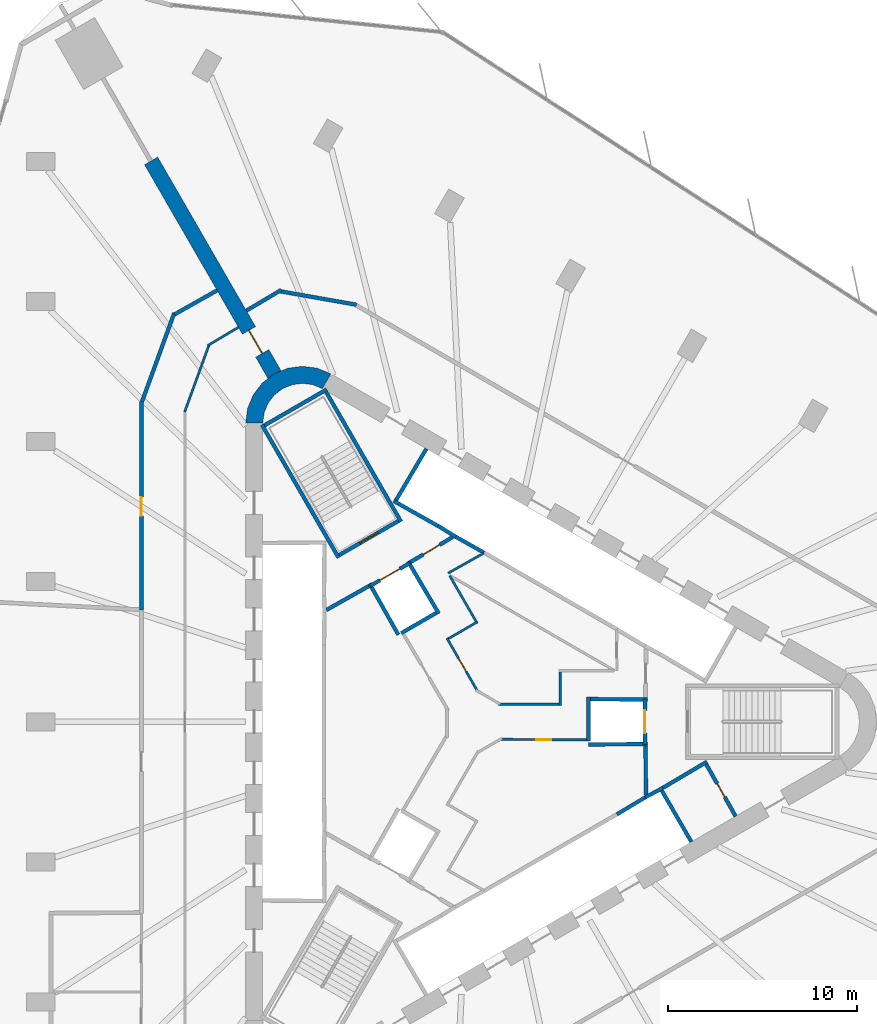
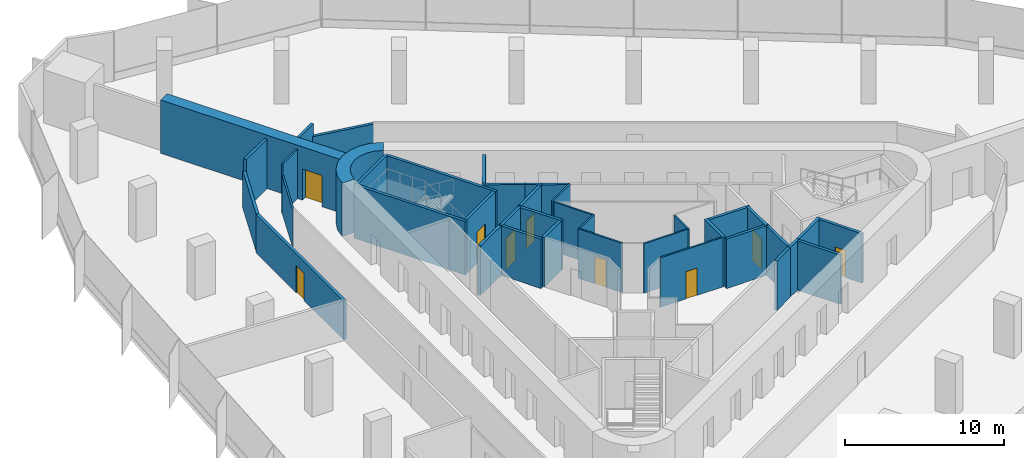
# One storey, part 11 of 14: 40 walls, 9 doors, 9 openings.
"""IFC4 building model written with IfcOpenShell, lengths in metres."""

from ifc_helpers import new_model, si_unit, direction, frame, frame_2d, origin, place, context, subcontext, project, spatial, polyline, rectangle, outline, extrude, material, layer, layer_set, type_object, element, fill, save


model = new_model("IFC4")

# Units and contexts
model_context = context("Model", 3, precision=1e-05, world=origin(), true_north=direction((0.0, 1.0)))
body_context = subcontext(model_context, "Body", "Model", "MODEL_VIEW")
ifc_project = project(units=[si_unit("LENGTHUNIT", "METRE"), si_unit("AREAUNIT", "SQUARE_METRE"), si_unit("VOLUMEUNIT", "CUBIC_METRE"), si_unit("PLANEANGLEUNIT", "RADIAN"), si_unit("MASSUNIT", "GRAM", prefix="KILO")], contexts=[model_context])

# Site, building, storey
site_placement = place(None, origin())
site = spatial("IfcSite", under=ifc_project, at=site_placement, CompositionType="ELEMENT")
building_placement = place(site_placement, origin())
building = spatial("IfcBuilding", under=site, at=building_placement, Name="Tanit Gate Tower", CompositionType="ELEMENT")
storey_placement = place(building_placement, frame((0.0, 0.0, 111.10009765625)))
storey = spatial("IfcBuildingStorey", under=building, at=storey_placement, Name="L23", CompositionType="ELEMENT", Elevation=111.10009765625)

# Wall, opening, door
ifc_material_1 = material(Name="Concrete C60/75", Category="concrete")
ifc_layer_1 = layer(ifc_material_1, 0.800048828125)
ifc_layer_set_1 = layer_set([ifc_layer_1], Name="BUTTRESS FIN 800 C60/75")
wall_type_1 = type_object("IfcWallType", Name="BUTTRESS FIN 800 C60/75", PredefinedType="SHEAR", material=ifc_layer_set_1)
wall_1_placement = place(storey_placement, frame((-10.574951171875, 18.31640625, 0.0), z_axis=(0.0, 0.0, 1.0), x_axis=(-0.500003112169, 0.866023606965, 0.0)))
wall_1 = element("IfcWall", 1, at=wall_1_placement, inside=storey, type_object=wall_type_1, Name="BUTTRESS FIN", PredefinedType="SHEAR", context=body_context, shape_type="SweptSolid", body=[
    extrude(rectangle(XDim=13.02685546875, YDim=0.800048828125, at=frame_2d((6.513427734375, 0.0))), origin(), (0.0, 0.0, 1.0), 4.099853515625),
])
opening_1_placement = place(wall_1_placement, frame((1.300048828125, 0.0, 0.0)))
opening_1 = element("IfcOpeningElement", 2, at=opening_1_placement, cuts=wall_1, Name="Opening P14-S05-F-NW-1", PredefinedType="OPENING", context=body_context, shape_type="SweptSolid", body=[
    extrude(rectangle(XDim=1.39990234375, YDim=2.39990234375, at=frame_2d((0.699951171875, 1.199951171875))), frame((0.0, 0.41015625, 0.0), z_axis=(0.0, -1.0, 0.0), x_axis=(1.0, 0.0, 0.0)), (0.0, 0.0, 1.0), 0.820068359375),
])
ifc_material_2 = material(Name="Timber door leaf", Category="wood")
door_type_1 = type_object("IfcDoorType", Name="INT-DOOR-FIN-PAIR-1400", OperationType="NOTDEFINED", PredefinedType="NOTDEFINED", material=ifc_material_2)
door_1_placement = place(opening_1_placement, origin())
door_1 = element("IfcDoor", 3, at=door_1_placement, inside=storey, type_object=door_type_1, Name="Door P14-S05-F-NW-1", OperationType="DOUBLE_DOOR_SINGLE_SWING", OverallHeight=2.39990234375, OverallWidth=1.39990234375, PredefinedType="NOTDEFINED", context=body_context, shape_type="SweptSolid", body=[
    extrude(rectangle(XDim=1.39990234375, YDim=2.39990234375, at=frame_2d((0.699951171875, 1.199951171875))), frame((0.0, 0.02490234375, 0.0), z_axis=(0.0, -1.0, 0.0), x_axis=(1.0, 0.0, 0.0)), (0.0, 0.0, 1.0), 0.050048828125),
])
fill(opening_1, door_1)

# Walls
ifc_material_3 = material(Name="Concrete C60/75", Category="concrete")
ifc_layer_2 = layer(ifc_material_3, 0.89990234375)
ifc_layer_set_2 = layer_set([ifc_layer_2], Name="CORE WALL 900 C60/75")
wall_type_2 = type_object("IfcWallType", Name="CORE WALL 900 C60/75", PredefinedType="SHEAR", material=ifc_layer_set_2)
wall_2_placement = place(storey_placement, origin())
element("IfcWall", 4, at=wall_2_placement, inside=storey, type_object=wall_type_2, Name="CORE WALL CORNER", PredefinedType="SHEAR", context=body_context, shape_type="SweptSolid", body=[
    extrude(outline(polyline([(-7.60009765625, 18.359619140625), (-8.323486328125, 18.659423828125), (-9.10009765625, 18.76171875), (-9.87646484375, 18.659423828125), (-10.60009765625, 18.359619140625), (-11.22119140625, 17.883056640625), (-11.697998046875, 17.26171875), (-11.997802734375, 16.5380859375), (-12.10009765625, 15.76171875), (-11.199951171875, 15.76171875), (-11.12841796875, 16.30517578125), (-10.918701171875, 16.811767578125), (-10.5849609375, 17.24658203125), (-10.14990234375, 17.580322265625), (-9.6435546875, 17.7900390625), (-9.10009765625, 17.86181640625), (-8.556396484375, 17.7900390625), (-8.050048828125, 17.580322265625), (-7.60009765625, 18.359619140625)])), origin(), (0.0, 0.0, 1.0), 4.099853515625),
])
ifc_material_4 = material(Name="Fire-rated gypsum board partition")
ifc_layer_3 = layer(ifc_material_4, 0.199951171875)
ifc_layer_set_3 = layer_set([ifc_layer_3], Name="INT-WALL-COMPARTMENT")
wall_type_3 = type_object("IfcWallType", Name="INT-WALL-COMPARTMENT", PredefinedType="PARTITIONING", material=ifc_layer_set_3)
wall_3_placement = place(storey_placement, frame((12.244873046875, -2.10888671875, 0.0), z_axis=(0.0, 0.0, 1.0), x_axis=(-0.860414880418, -0.509594185166, 0.0)))
element("IfcWall", 5, at=wall_3_placement, inside=storey, type_object=wall_type_3, Name="Wall Compartment W057", PredefinedType="PARTITIONING", context=body_context, shape_type="SweptSolid", body=[
    extrude(rectangle(XDim=2.7001953125, YDim=0.199951171875, at=frame_2d((1.35009765625, 0.0))), origin(), (0.0, 0.0, 1.0), 3.7998046875),
])

# Wall, opening, door
wall_4_placement = place(storey_placement, frame((13.758056640625, -4.989501953125, 0.0), z_axis=(0.0, 0.0, 1.0), x_axis=(-0.491993409184, 0.87059892334, 0.0)))
wall_4 = element("IfcWall", 6, at=wall_4_placement, inside=storey, type_object=wall_type_3, Name="Wall Compartment W058", PredefinedType="PARTITIONING", context=body_context, shape_type="SweptSolid", body=[
    extrude(rectangle(XDim=3.150146484375, YDim=0.199951171875, at=frame_2d((1.5751953125, 0.0))), origin(), (0.0, 0.0, 1.0), 3.7998046875),
])
opening_2_placement = place(wall_4_placement, frame((1.175048828125, 0.0, 0.0)))
opening_2 = element("IfcOpeningElement", 7, at=opening_2_placement, cuts=wall_4, Name="Opening R08-S05-14", PredefinedType="OPENING", context=body_context, shape_type="SweptSolid", body=[
    extrude(rectangle(XDim=0.800048828125, YDim=2.10009765625, at=frame_2d((0.39990234375, 1.050048828125))), frame((0.0, 0.10986328125, 0.0), z_axis=(0.0, -1.0, 0.0), x_axis=(1.0, 0.0, 0.0)), (0.0, 0.0, 1.0), 0.219970703125),
])
ifc_material_5 = material(Name="Timber door leaf", Category="wood")
door_type_2 = type_object("IfcDoorType", Name="INT-DOOR-RISER-800", OperationType="NOTDEFINED", PredefinedType="USERDEFINED", material=ifc_material_5)
door_2_placement = place(opening_2_placement, origin())
door_2 = element("IfcDoor", 8, at=door_2_placement, inside=storey, type_object=door_type_2, Name="Door R08-S05-14", ObjectType="FIRE DOOR", OperationType="SINGLE_SWING_LEFT", OverallHeight=2.10009765625, OverallWidth=0.800048828125, PredefinedType="USERDEFINED", context=body_context, shape_type="SweptSolid", body=[
    extrude(rectangle(XDim=0.800048828125, YDim=2.10009765625, at=frame_2d((0.39990234375, 1.050048828125))), frame((0.0, 0.02490234375, 0.0), z_axis=(0.0, -1.0, 0.0), x_axis=(1.0, 0.0, 0.0)), (0.0, 0.0, 1.0), 0.050048828125),
])
fill(opening_2, door_2)

# Walls
for number, where, z_axis, x_axis, name in (
    (9, (9.02880859375, -3.8505859375, 0.0), (0.0, 0.0, 1.0), (-0.010784614026, 0.999941844359, 0.0), "Wall Compartment W059"),
    (10, (-5.600341796875, 7.16015625, 0.0), (0.0, 0.0, 1.0), (-0.871340486379, -0.490678873396, 0.0), "Wall Compartment W061"),
):
    element("IfcWall", number, at=place(storey_placement, frame(where, z_axis=z_axis, x_axis=x_axis)), inside=storey, type_object=wall_type_3, Name=name, PredefinedType="PARTITIONING", context=body_context, shape_type="SweptSolid", body=[
        extrude(rectangle(XDim=2.580810546875, YDim=0.199951171875, at=frame_2d((1.29052734375, 0.0))), origin(), (0.0, 0.0, 1.0), 3.7998046875),
    ])

# Wall, opening, door
wall_5_placement = place(storey_placement, frame((-1.179443359375, 9.74462890625, 0.0), z_axis=(0.0, 0.0, 1.0), x_axis=(-0.860598681535, -0.509283721849, 0.0)))
wall_5 = element("IfcWall", 11, at=wall_5_placement, inside=storey, type_object=wall_type_3, Name="Wall Compartment W062", PredefinedType="PARTITIONING", context=body_context, shape_type="SweptSolid", body=[
    extrude(rectangle(XDim=2.5810546875, YDim=0.199951171875, at=frame_2d((1.29052734375, 0.0))), origin(), (0.0, 0.0, 1.0), 3.7998046875),
])
opening_3_placement = place(wall_5_placement, frame((0.79052734375, 0.0, 0.0)))
opening_3 = element("IfcOpeningElement", 12, at=opening_3_placement, cuts=wall_5, Name="Opening F10-S05-05", PredefinedType="OPENING", context=body_context, shape_type="SweptSolid", body=[
    extrude(rectangle(XDim=1.0, YDim=2.10009765625, at=frame_2d((0.5, 1.050048828125))), frame((0.0, 0.10986328125, 0.0), z_axis=(0.0, -1.0, 0.0), x_axis=(1.0, 0.0, 0.0)), (0.0, 0.0, 1.0), 0.219970703125),
])
ifc_material_6 = material(Name="Fire-rated steel door leaf", Category="steel")
door_type_3 = type_object("IfcDoorType", Name="INT-DOOR-FIRE-1000", OperationType="NOTDEFINED", PredefinedType="USERDEFINED", material=ifc_material_6)
door_3_placement = place(opening_3_placement, origin())
door_3 = element("IfcDoor", 13, at=door_3_placement, inside=storey, type_object=door_type_3, Name="Door F10-S05-05", ObjectType="FIRE DOOR", OperationType="SINGLE_SWING_RIGHT", OverallHeight=2.10009765625, OverallWidth=1.0, PredefinedType="USERDEFINED", context=body_context, shape_type="SweptSolid", body=[
    extrude(rectangle(XDim=1.0, YDim=2.10009765625, at=frame_2d((0.5, 1.050048828125))), frame((0.0, 0.02490234375, 0.0), z_axis=(0.0, -1.0, 0.0), x_axis=(1.0, 0.0, 0.0)), (0.0, 0.0, 1.0), 0.050048828125),
])
fill(opening_3, door_3)

wall_6_placement = place(storey_placement, frame((-17.60009765625, 16.910888671875, 0.0), z_axis=(0.0, 0.0, 1.0), x_axis=(0.0, -1.0, 0.0)))
wall_6 = element("IfcWall", 14, at=wall_6_placement, inside=storey, type_object=wall_type_3, Name="Wall Compartment W092", PredefinedType="PARTITIONING", context=body_context, shape_type="SweptSolid", body=[
    extrude(rectangle(XDim=11.0224609375, YDim=0.199951171875, at=frame_2d((5.51123046875, 0.0))), origin(), (0.0, 0.0, 1.0), 2.97998046875),
])
opening_4_placement = place(wall_6_placement, frame((5.0498046875, 0.0, 0.0)))
opening_4 = element("IfcOpeningElement", 15, at=opening_4_placement, cuts=wall_6, Name="Opening F10-S05-21", PredefinedType="OPENING", context=body_context, shape_type="SweptSolid", body=[
    extrude(rectangle(XDim=1.0, YDim=2.10009765625, at=frame_2d((0.5, 1.050048828125))), frame((0.0, 0.10986328125, 0.0), z_axis=(0.0, -1.0, 0.0), x_axis=(1.0, 0.0, 0.0)), (0.0, 0.0, 1.0), 0.219970703125),
])
door_4_placement = place(opening_4_placement, origin())
door_4 = element("IfcDoor", 16, at=door_4_placement, inside=storey, type_object=door_type_3, Name="Door F10-S05-21", ObjectType="FIRE DOOR", OperationType="SINGLE_SWING_LEFT", OverallHeight=2.10009765625, OverallWidth=1.0, PredefinedType="USERDEFINED", context=body_context, shape_type="SweptSolid", body=[
    extrude(rectangle(XDim=1.0, YDim=2.10009765625, at=frame_2d((0.5, 1.050048828125))), frame((0.0, 0.02490234375, 0.0), z_axis=(0.0, -1.0, 0.0), x_axis=(1.0, 0.0, 0.0)), (0.0, 0.0, 1.0), 0.050048828125),
])
fill(opening_4, door_4)

# Walls
wall_7_placement = place(storey_placement, frame((-15.864013671875, 21.58056640625, 0.0), z_axis=(0.0, 0.0, 1.0), x_axis=(-0.342030631204, -0.939688803444, 0.0)))
element("IfcWall", 17, at=wall_7_placement, inside=storey, type_object=wall_type_3, Name="Wall Compartment W093", PredefinedType="PARTITIONING", context=body_context, shape_type="SweptSolid", body=[
    extrude(rectangle(XDim=4.975830078125, YDim=0.199951171875, at=frame_2d((2.48779296875, 0.0))), origin(), (0.0, 0.0, 1.0), 2.8798828125),
])
wall_8_placement = place(storey_placement, frame((-13.6064453125, 22.76708984375, 0.0), z_axis=(0.0, 0.0, 1.0), x_axis=(-0.870922595713, -0.491420219645, 0.0)))
element("IfcWall", 18, at=wall_8_placement, inside=storey, type_object=wall_type_3, Name="Wall Compartment W094", PredefinedType="PARTITIONING", context=body_context, shape_type="SweptSolid", body=[
    extrude(rectangle(XDim=2.58935546875, YDim=0.199951171875, at=frame_2d((1.294677734375, 0.0))), origin(), (0.0, 0.0, 1.0), 3.7998046875),
])
wall_9_placement = place(storey_placement, frame((-10.228271484375, 22.786376953125, 0.0), z_axis=(0.0, 0.0, 1.0), x_axis=(-0.859754348804, -0.510707802674, 0.0)))
element("IfcWall", 19, at=wall_9_placement, inside=storey, type_object=wall_type_3, Name="Wall Compartment W099", PredefinedType="PARTITIONING", context=body_context, shape_type="SweptSolid", body=[
    extrude(rectangle(XDim=2.135498046875, YDim=0.199951171875, at=frame_2d((1.06787109375, 0.0))), origin(), (0.0, 0.0, 1.0), 3.7998046875),
])
wall_10_placement = place(storey_placement, frame((-6.25048828125, 22.008056640625, 0.0), z_axis=(0.0, 0.0, 1.0), x_axis=(-0.984810577443, 0.173632158762, 0.0)))
element("IfcWall", 20, at=wall_10_placement, inside=storey, type_object=wall_type_3, Name="Wall Compartment W100", PredefinedType="PARTITIONING", context=body_context, shape_type="SweptSolid", body=[
    extrude(rectangle(XDim=4.091796875, YDim=0.199951171875, at=frame_2d((2.0458984375, 0.0))), origin(), (0.0, 0.0, 1.0), 2.8798828125),
])

# Wall, opening, door
ifc_material_7 = material(Name="Gypsum board partition")
ifc_layer_4 = layer(ifc_material_7, 0.1201171875)
ifc_layer_set_4 = layer_set([ifc_layer_4], Name="INT-WALL-PARTITION")
wall_type_4 = type_object("IfcWallType", Name="INT-WALL-PARTITION", PredefinedType="PARTITIONING", material=ifc_layer_set_4)
wall_11_placement = place(storey_placement, frame((5.89990234375, -0.953857421875, 0.0), z_axis=(0.0, 0.0, 1.0), x_axis=(-0.999979855239, 0.006347370786, 0.0)))
wall_11 = element("IfcWall", 21, at=wall_11_placement, inside=storey, type_object=wall_type_4, Name="Wall Partition W073", PredefinedType="PARTITIONING", context=body_context, shape_type="SweptSolid", body=[
    extrude(rectangle(XDim=4.53857421875, YDim=0.1201171875, at=frame_2d((2.269287109375, 0.0))), origin(), (0.0, 0.0, 1.0), 3.7998046875),
])
opening_5_placement = place(wall_11_placement, frame((1.869384765625, 0.0, 0.0)))
opening_5 = element("IfcOpeningElement", 22, at=opening_5_placement, cuts=wall_11, Name="Opening R08-S05-11", PredefinedType="OPENING", context=body_context, shape_type="SweptSolid", body=[
    extrude(rectangle(XDim=0.800048828125, YDim=2.10009765625, at=frame_2d((0.39990234375, 1.050048828125))), frame((0.0, 0.070068359375, 0.0), z_axis=(0.0, -1.0, 0.0), x_axis=(1.0, 0.0, 0.0)), (0.0, 0.0, 1.0), 0.14013671875),
])
door_5_placement = place(opening_5_placement, origin())
door_5 = element("IfcDoor", 23, at=door_5_placement, inside=storey, type_object=door_type_2, Name="Door R08-S05-11", ObjectType="FIRE DOOR", OperationType="SINGLE_SWING_RIGHT", OverallHeight=2.10009765625, OverallWidth=0.800048828125, PredefinedType="USERDEFINED", context=body_context, shape_type="SweptSolid", body=[
    extrude(rectangle(XDim=0.800048828125, YDim=2.10009765625, at=frame_2d((0.39990234375, 1.050048828125))), frame((0.0, 0.02490234375, 0.0), z_axis=(0.0, -1.0, 0.0), x_axis=(1.0, 0.0, 0.0)), (0.0, 0.0, 1.0), 0.050048828125),
])
fill(opening_5, door_5)

# Walls
wall_12_placement = place(storey_placement, frame((0.475341796875, 8.9052734375, 0.0), z_axis=(0.0, 0.0, 1.0), x_axis=(-0.871843519779, -0.489784521009, 0.0)))
element("IfcWall", 24, at=wall_12_placement, inside=storey, type_object=wall_type_4, Name="Wall Partition W075", PredefinedType="PARTITIONING", context=body_context, shape_type="SweptSolid", body=[
    extrude(rectangle(XDim=2.164306640625, YDim=0.1201171875, at=frame_2d((1.08203125, 0.0))), origin(), (0.0, 0.0, 1.0), 3.7998046875),
])
wall_13_placement = place(storey_placement, frame((4.5, 0.864990234375, 0.0), z_axis=(0.0, 0.0, 1.0), x_axis=(0.0, 1.0, 0.0)))
element("IfcWall", 25, at=wall_13_placement, inside=storey, type_object=wall_type_4, Name="Wall Partition W078", PredefinedType="PARTITIONING", context=body_context, shape_type="SweptSolid", body=[
    extrude(rectangle(XDim=1.77490234375, YDim=0.1201171875, at=frame_2d((0.887451171875, 0.0))), origin(), (0.0, 0.0, 1.0), 3.7998046875),
])
wall_14_placement = place(storey_placement, frame((1.238525390625, 0.925048828125, 0.0), z_axis=(0.0, 0.0, 1.0), x_axis=(1.0, 0.0, 0.0)))
element("IfcWall", 26, at=wall_14_placement, inside=storey, type_object=wall_type_4, Name="Wall Partition W079", PredefinedType="PARTITIONING", context=body_context, shape_type="SweptSolid", body=[
    extrude(rectangle(XDim=3.201416015625, YDim=0.1201171875, at=frame_2d((1.6005859375, 0.0))), origin(), (0.0, 0.0, 1.0), 3.7998046875),
])

# Wall, opening, door
wall_15_placement = place(storey_placement, frame((-1.47900390625, 4.41162109375, 0.0), z_axis=(0.0, 0.0, 1.0), x_axis=(0.500013115284, -0.866017831539, 0.0)))
wall_15 = element("IfcWall", 27, at=wall_15_placement, inside=storey, type_object=wall_type_4, Name="Wall Partition W081", PredefinedType="PARTITIONING", context=body_context, shape_type="SweptSolid", body=[
    extrude(rectangle(XDim=3.19921875, YDim=0.1201171875, at=frame_2d((1.599609375, 0.0))), origin(), (0.0, 0.0, 1.0), 3.7998046875),
])
opening_6_placement = place(wall_15_placement, frame((1.2294921875, 0.0, 0.0)))
opening_6 = element("IfcOpeningElement", 28, at=opening_6_placement, cuts=wall_15, Name="Opening R08-S05-13", PredefinedType="OPENING", context=body_context, shape_type="SweptSolid", body=[
    extrude(rectangle(XDim=0.800048828125, YDim=2.10009765625, at=frame_2d((0.39990234375, 1.050048828125))), frame((0.0, 0.070068359375, 0.0), z_axis=(0.0, -1.0, 0.0), x_axis=(1.0, 0.0, 0.0)), (0.0, 0.0, 1.0), 0.14013671875),
])
door_6_placement = place(opening_6_placement, origin())
door_6 = element("IfcDoor", 29, at=door_6_placement, inside=storey, type_object=door_type_2, Name="Door R08-S05-13", ObjectType="FIRE DOOR", OperationType="SINGLE_SWING_LEFT", OverallHeight=2.10009765625, OverallWidth=0.800048828125, PredefinedType="USERDEFINED", context=body_context, shape_type="SweptSolid", body=[
    extrude(rectangle(XDim=0.800048828125, YDim=2.10009765625, at=frame_2d((0.39990234375, 1.050048828125))), frame((0.0, 0.02490234375, 0.0), z_axis=(0.0, -1.0, 0.0), x_axis=(1.0, 0.0, 0.0)), (0.0, 0.0, 1.0), 0.050048828125),
])
fill(opening_6, door_6)

# Walls
wall_16_placement = place(storey_placement, frame((0.14013671875, 5.277099609375, 0.0), z_axis=(0.0, 0.0, 1.0), x_axis=(-0.866025242659, -0.500000279077, 0.0)))
element("IfcWall", 30, at=wall_16_placement, inside=storey, type_object=wall_type_4, Name="Wall Partition W082", PredefinedType="PARTITIONING", context=body_context, shape_type="SweptSolid", body=[
    extrude(rectangle(XDim=1.77490234375, YDim=0.1201171875, at=frame_2d((0.887451171875, 0.0))), origin(), (0.0, 0.0, 1.0), 3.7998046875),
])
wall_17_placement = place(storey_placement, frame((-1.330078125, 7.703857421875, 0.0), z_axis=(0.0, 0.0, 1.0), x_axis=(0.500006584067, -0.866021602438, 0.0)))
element("IfcWall", 31, at=wall_17_placement, inside=storey, type_object=wall_type_4, Name="Wall Partition W083", PredefinedType="PARTITIONING", context=body_context, shape_type="SweptSolid", body=[
    extrude(rectangle(XDim=2.77685546875, YDim=0.1201171875, at=frame_2d((1.388427734375, 0.0))), origin(), (0.0, 0.0, 1.0), 3.7998046875),
])
wall_18_placement = place(storey_placement, frame((-12.481689453125, 20.819091796875, 0.0), z_axis=(0.0, 0.0, 1.0), x_axis=(-0.85913200524, -0.511754040113, 0.0)))
element("IfcWall", 32, at=wall_18_placement, inside=storey, type_object=wall_type_4, Name="Wall Partition W084", PredefinedType="PARTITIONING", context=body_context, shape_type="SweptSolid", body=[
    extrude(rectangle(XDim=1.87451171875, YDim=0.1201171875, at=frame_2d((0.937255859375, 0.0))), origin(), (0.0, 0.0, 1.0), 3.7998046875),
])
wall_19_placement = place(storey_placement, frame((-14.038330078125, 19.87158203125, 0.0), z_axis=(0.0, 0.0, 1.0), x_axis=(-0.342035870777, -0.939686896313, 0.0)))
element("IfcWall", 33, at=wall_19_placement, inside=storey, type_object=wall_type_4, Name="Wall Partition W085", PredefinedType="PARTITIONING", context=body_context, shape_type="SweptSolid", body=[
    extrude(rectangle(XDim=3.748779296875, YDim=0.1201171875, at=frame_2d((1.87451171875, 0.0))), origin(), (0.0, 0.0, 1.0), 2.8798828125),
])
ifc_material_8 = material(Name="Gypsum shaft wall system")
ifc_layer_5 = layer(ifc_material_8, 0.199951171875)
ifc_layer_set_5 = layer_set([ifc_layer_5], Name="INT-WALL-SHAFT")
wall_type_5 = type_object("IfcWallType", Name="INT-WALL-SHAFT", PredefinedType="PLUMBINGWALL", material=ifc_layer_set_5)
wall_20_placement = place(storey_placement, frame((-1.940673828125, 10.338623046875, 0.0), z_axis=(0.0, 0.0, 1.0), x_axis=(0.850216889117, -0.526432561171, 0.0)))
element("IfcWall", 34, at=wall_20_placement, inside=storey, type_object=wall_type_5, Name="Wall Shaft W019", PredefinedType="PLUMBINGWALL", context=body_context, shape_type="SweptSolid", body=[
    extrude(rectangle(XDim=1.078369140625, YDim=0.199951171875, at=frame_2d((0.5390625, 0.0))), origin(), (0.0, 0.0, 1.0), 3.7998046875),
])
wall_21_placement = place(storey_placement, frame((0.478271484375, 8.928466796875, 0.0), z_axis=(0.0, 0.0, 1.0), x_axis=(-0.871988740738, 0.489525929882, 0.0)))
element("IfcWall", 35, at=wall_21_placement, inside=storey, type_object=wall_type_5, Name="Wall Shaft W020", PredefinedType="PLUMBINGWALL", context=body_context, shape_type="SweptSolid", body=[
    extrude(rectangle(XDim=1.8447265625, YDim=0.199951171875, at=frame_2d((0.92236328125, 0.0))), origin(), (0.0, 0.0, 1.0), 3.7998046875),
])
wall_22_placement = place(storey_placement, frame((-4.296142578125, 11.658935546875, 0.0), z_axis=(0.0, 0.0, 1.0), x_axis=(0.871534483978, -0.490334215854, 0.0)))
element("IfcWall", 36, at=wall_22_placement, inside=storey, type_object=wall_type_5, Name="Wall Shaft W021", PredefinedType="PLUMBINGWALL", context=body_context, shape_type="SweptSolid", body=[
    extrude(rectangle(XDim=2.7001953125, YDim=0.199951171875, at=frame_2d((1.35009765625, 0.0))), origin(), (0.0, 0.0, 1.0), 3.7998046875),
])
wall_23_placement = place(storey_placement, frame((-4.158203125, 11.696044921875, 0.0), z_axis=(0.0, 0.0, 1.0), x_axis=(0.508018930956, 0.861345903683, 0.0)))
element("IfcWall", 37, at=wall_23_placement, inside=storey, type_object=wall_type_5, Name="Wall Shaft W022", PredefinedType="PLUMBINGWALL", context=body_context, shape_type="SweptSolid", body=[
    extrude(rectangle(XDim=3.150146484375, YDim=0.199951171875, at=frame_2d((1.5751953125, 0.0))), origin(), (0.0, 0.0, 1.0), 3.7998046875),
])
wall_24_placement = place(storey_placement, frame((9.794677734375, -3.52490234375, 0.0), z_axis=(0.0, 0.0, 1.0), x_axis=(0.499984717929, -0.866034226713, 0.0)))
element("IfcWall", 38, at=wall_24_placement, inside=storey, type_object=wall_type_5, Name="Wall Shaft W024", PredefinedType="PLUMBINGWALL", context=body_context, shape_type="SweptSolid", body=[
    extrude(rectangle(XDim=3.25, YDim=0.199951171875, at=frame_2d((1.625, 0.0))), origin(), (0.0, 0.0, 1.0), 3.7998046875),
])
wall_25_placement = place(storey_placement, frame((8.97412109375, -3.998779296875, 0.0), z_axis=(0.0, 0.0, 1.0), x_axis=(0.880907015104, 0.473289373154, 0.0)))
element("IfcWall", 39, at=wall_25_placement, inside=storey, type_object=wall_type_5, Name="Wall Shaft W025", PredefinedType="PLUMBINGWALL", context=body_context, shape_type="SweptSolid", body=[
    extrude(rectangle(XDim=1.078125, YDim=0.199951171875, at=frame_2d((0.5390625, 0.0))), origin(), (0.0, 0.0, 1.0), 3.7998046875),
])
wall_26_placement = place(storey_placement, frame((7.497314453125, -4.885986328125, 0.0), z_axis=(0.0, 0.0, 1.0), x_axis=(0.857516281273, 0.51445682749, 0.0)))
element("IfcWall", 40, at=wall_26_placement, inside=storey, type_object=wall_type_5, Name="Wall Shaft W026", PredefinedType="PLUMBINGWALL", context=body_context, shape_type="SweptSolid", body=[
    extrude(rectangle(XDim=1.8447265625, YDim=0.199951171875, at=frame_2d((0.92236328125, 0.0))), origin(), (0.0, 0.0, 1.0), 3.7998046875),
])

# Wall, opening, door
wall_27_placement = place(storey_placement, frame((8.969970703125, 1.199951171875, 0.0), z_axis=(0.0, 0.0, 1.0), x_axis=(0.0, -1.0, 0.0)))
wall_27 = element("IfcWall", 41, at=wall_27_placement, inside=storey, type_object=wall_type_5, Name="Wall Shaft W037", PredefinedType="PLUMBINGWALL", context=body_context, shape_type="SweptSolid", body=[
    extrude(rectangle(XDim=2.39990234375, YDim=0.199951171875, at=frame_2d((1.199951171875, 0.0))), origin(), (0.0, 0.0, 1.0), 3.7998046875),
])
opening_7_placement = place(wall_27_placement, frame((0.60009765625, 0.0, 0.0)))
opening_7 = element("IfcOpeningElement", 42, at=opening_7_placement, cuts=wall_27, Name="Opening LDFL1-L23", PredefinedType="OPENING", context=body_context, shape_type="SweptSolid", body=[
    extrude(rectangle(XDim=1.199951171875, YDim=2.39990234375, at=frame_2d((0.60009765625, 1.199951171875))), frame((0.0, 0.10986328125, 0.0), z_axis=(0.0, -1.0, 0.0), x_axis=(1.0, 0.0, 0.0)), (0.0, 0.0, 1.0), 0.219970703125),
])
ifc_material_9 = material(Name="Stainless steel sliding door leaf", Category="steel")
door_type_4 = type_object("IfcDoorType", Name="INT-DOOR-LANDING-1200", OperationType="NOTDEFINED", PredefinedType="USERDEFINED", material=ifc_material_9)
door_7_placement = place(opening_7_placement, origin())
door_7 = element("IfcDoor", 43, at=door_7_placement, inside=storey, type_object=door_type_4, Name="Door LDFL1-L23", ObjectType="LANDING DOOR", OperationType="SLIDING_TO_LEFT", OverallHeight=2.39990234375, OverallWidth=1.199951171875, PredefinedType="USERDEFINED", context=body_context, shape_type="SweptSolid", body=[
    extrude(rectangle(XDim=1.199951171875, YDim=2.39990234375, at=frame_2d((0.60009765625, 1.199951171875))), frame((0.0, 0.02490234375, 0.0), z_axis=(0.0, -1.0, 0.0), x_axis=(1.0, 0.0, 0.0)), (0.0, 0.0, 1.0), 0.050048828125),
])
fill(opening_7, door_7)

# Walls
wall_28_placement = place(storey_placement, frame((9.10009765625, -1.1689453125, 0.0), z_axis=(0.0, 0.0, 1.0), x_axis=(-0.999949988, -0.010001074852, 0.0)))
element("IfcWall", 44, at=wall_28_placement, inside=storey, type_object=wall_type_5, Name="Wall Shaft W038", PredefinedType="PLUMBINGWALL", context=body_context, shape_type="SweptSolid", body=[
    extrude(rectangle(XDim=3.100341796875, YDim=0.199951171875, at=frame_2d((1.55029296875, 0.0))), origin(), (0.0, 0.0, 1.0), 3.7998046875),
])
wall_29_placement = place(storey_placement, frame((6.0, -1.014404296875, 0.0), z_axis=(0.0, 0.0, 1.0), x_axis=(0.0, 1.0, 0.0)))
element("IfcWall", 45, at=wall_29_placement, inside=storey, type_object=wall_type_5, Name="Wall Shaft W039", PredefinedType="PLUMBINGWALL", context=body_context, shape_type="SweptSolid", body=[
    extrude(rectangle(XDim=2.314453125, YDim=0.199951171875, at=frame_2d((1.1572265625, 0.0))), origin(), (0.0, 0.0, 1.0), 3.7998046875),
])
wall_30_placement = place(storey_placement, frame((9.10009765625, 1.1689453125, 0.0), z_axis=(0.0, 0.0, 1.0), x_axis=(-0.99994990606, 0.010009264196, 0.0)))
element("IfcWall", 46, at=wall_30_placement, inside=storey, type_object=wall_type_5, Name="Wall Shaft W040", PredefinedType="PLUMBINGWALL", context=body_context, shape_type="SweptSolid", body=[
    extrude(rectangle(XDim=3.000244140625, YDim=0.199951171875, at=frame_2d((1.5, 0.0))), origin(), (0.0, 0.0, 1.0), 3.7998046875),
])

# Wall, opening, door
wall_31_placement = place(storey_placement, frame((-5.524169921875, 7.168212890625, 0.0), z_axis=(0.0, 0.0, 1.0), x_axis=(0.866024647952, 0.500001309137, 0.0)))
wall_31 = element("IfcWall", 47, at=wall_31_placement, inside=storey, type_object=wall_type_5, Name="Wall Shaft W045", PredefinedType="PLUMBINGWALL", context=body_context, shape_type="SweptSolid", body=[
    extrude(rectangle(XDim=2.39990234375, YDim=0.199951171875, at=frame_2d((1.199951171875, 0.0))), origin(), (0.0, 0.0, 1.0), 3.7998046875),
])
opening_8_placement = place(wall_31_placement, frame((0.60009765625, 0.0, 0.0)))
opening_8 = element("IfcOpeningElement", 48, at=opening_8_placement, cuts=wall_31, Name="Opening LDFL2-L23", PredefinedType="OPENING", context=body_context, shape_type="SweptSolid", body=[
    extrude(rectangle(XDim=1.199951171875, YDim=2.39990234375, at=frame_2d((0.60009765625, 1.199951171875))), frame((0.0, 0.10986328125, 0.0), z_axis=(0.0, -1.0, 0.0), x_axis=(1.0, 0.0, 0.0)), (0.0, 0.0, 1.0), 0.219970703125),
])
door_8_placement = place(opening_8_placement, origin())
door_8 = element("IfcDoor", 49, at=door_8_placement, inside=storey, type_object=door_type_4, Name="Door LDFL2-L23", ObjectType="LANDING DOOR", OperationType="SLIDING_TO_LEFT", OverallHeight=2.39990234375, OverallWidth=1.199951171875, PredefinedType="USERDEFINED", context=body_context, shape_type="SweptSolid", body=[
    extrude(rectangle(XDim=1.199951171875, YDim=2.39990234375, at=frame_2d((0.60009765625, 1.199951171875))), frame((0.0, 0.02490234375, 0.0), z_axis=(0.0, -1.0, 0.0), x_axis=(1.0, 0.0, 0.0)), (0.0, 0.0, 1.0), 0.050048828125),
])
fill(opening_8, door_8)

# Walls
wall_32_placement = place(storey_placement, frame((-4.039306640625, 4.59619140625, 0.0), z_axis=(0.0, 0.0, 1.0), x_axis=(-0.491322718731, 0.870977603649, 0.0)))
element("IfcWall", 50, at=wall_32_placement, inside=storey, type_object=wall_type_5, Name="Wall Shaft W046", PredefinedType="PLUMBINGWALL", context=body_context, shape_type="SweptSolid", body=[
    extrude(rectangle(XDim=3.10009765625, YDim=0.199951171875, at=frame_2d((1.550048828125, 0.0))), origin(), (0.0, 0.0, 1.0), 3.7998046875),
])
wall_33_placement = place(storey_placement, frame((-3.53759765625, 8.46533203125, 0.0), z_axis=(0.0, 0.0, 1.0), x_axis=(0.508616218331, -0.860993346345, 0.0)))
element("IfcWall", 51, at=wall_33_placement, inside=storey, type_object=wall_type_5, Name="Wall Shaft W047", PredefinedType="PLUMBINGWALL", context=body_context, shape_type="SweptSolid", body=[
    extrude(rectangle(XDim=3.2001953125, YDim=0.199951171875, at=frame_2d((1.60009765625, 0.0))), origin(), (0.0, 0.0, 1.0), 3.7998046875),
])
wall_34_placement = place(storey_placement, frame((-2.04736328125, 5.74609375, 0.0), z_axis=(0.0, 0.0, 1.0), x_axis=(-0.866040491692, -0.499973866067, 0.0)))
element("IfcWall", 52, at=wall_34_placement, inside=storey, type_object=wall_type_5, Name="Wall Shaft W048", PredefinedType="PLUMBINGWALL", context=body_context, shape_type="SweptSolid", body=[
    extrude(rectangle(XDim=2.12939453125, YDim=0.199951171875, at=frame_2d((1.064697265625, 0.0))), origin(), (0.0, 0.0, 1.0), 3.7998046875),
])
ifc_material_10 = material(Name="Concrete C40/50", Category="concrete")
ifc_layer_6 = layer(ifc_material_10, 0.199951171875)
ifc_layer_set_6 = layer_set([ifc_layer_6], Name="INT-WALL-STAIR")
wall_type_6 = type_object("IfcWallType", Name="INT-WALL-STAIR", PredefinedType="SHEAR", material=ifc_layer_set_6)
wall_35_placement = place(storey_placement, frame((-11.245361328125, 15.677734375, -0.300048828125), z_axis=(0.0, 0.0, 1.0), x_axis=(0.499977274689, -0.866038523851, 0.0)))
element("IfcWall", 53, at=wall_35_placement, inside=storey, type_object=wall_type_6, Name="Wall Stair W041", PredefinedType="SHEAR", context=body_context, shape_type="SweptSolid", body=[
    extrude(rectangle(XDim=8.10009765625, YDim=0.199951171875, at=frame_2d((4.050048828125, 0.0))), origin(), (0.0, 0.0, 1.0), 4.099853515625),
])
wall_36_placement = place(storey_placement, frame((-7.81787109375, 17.541015625, -0.300048828125), z_axis=(0.0, 0.0, 1.0), x_axis=(-0.866044365799, -0.499967155389, 0.0)))
element("IfcWall", 54, at=wall_36_placement, inside=storey, type_object=wall_type_6, Name="Wall Stair W042", PredefinedType="SHEAR", context=body_context, shape_type="SweptSolid", body=[
    extrude(rectangle(XDim=3.800048828125, YDim=0.199951171875, at=frame_2d((1.89990234375, 0.0))), origin(), (0.0, 0.0, 1.0), 4.099853515625),
])
wall_37_placement = place(storey_placement, frame((-7.8544921875, 17.404541015625, -0.300048828125), z_axis=(0.0, 0.0, 1.0), x_axis=(0.499997992926, -0.866026562566, 0.0)))
element("IfcWall", 55, at=wall_37_placement, inside=storey, type_object=wall_type_6, Name="Wall Stair W043", PredefinedType="SHEAR", context=body_context, shape_type="SweptSolid", body=[
    extrude(rectangle(XDim=7.89990234375, YDim=0.199951171875, at=frame_2d((3.949951171875, 0.0))), origin(), (0.0, 0.0, 1.0), 4.099853515625),
])

# Wall, opening, door
wall_38_placement = place(storey_placement, frame((-7.158935546875, 8.799560546875, -0.300048828125), z_axis=(0.0, 0.0, 1.0), x_axis=(0.866047807691, 0.499961193289, 0.0)))
wall_38 = element("IfcWall", 56, at=wall_38_placement, inside=storey, type_object=wall_type_6, Name="Wall Stair W044", PredefinedType="SHEAR", context=body_context, shape_type="SweptSolid", body=[
    extrude(rectangle(XDim=3.599853515625, YDim=0.199951171875, at=frame_2d((1.7998046875, 0.0))), origin(), (0.0, 0.0, 1.0), 4.099853515625),
])
opening_9_placement = place(wall_38_placement, frame((1.25, 0.0, 0.300048828125)))
opening_9 = element("IfcOpeningElement", 57, at=opening_9_placement, cuts=wall_38, Name="Opening S11-S05-04", PredefinedType="OPENING", context=body_context, shape_type="SweptSolid", body=[
    extrude(rectangle(XDim=1.10009765625, YDim=2.10009765625, at=frame_2d((0.550048828125, 1.050048828125))), frame((0.0, 0.10986328125, 0.0), z_axis=(0.0, -1.0, 0.0), x_axis=(1.0, 0.0, 0.0)), (0.0, 0.0, 1.0), 0.219970703125),
])
ifc_material_11 = material(Name="Timber door leaf", Category="wood")
door_type_5 = type_object("IfcDoorType", Name="INT-DOOR-STAIR-1100", OperationType="NOTDEFINED", PredefinedType="USERDEFINED", material=ifc_material_11)
door_9_placement = place(opening_9_placement, origin())
door_9 = element("IfcDoor", 58, at=door_9_placement, inside=storey, type_object=door_type_5, Name="Door S11-S05-04", ObjectType="FIRE DOOR", OperationType="SINGLE_SWING_LEFT", OverallHeight=2.10009765625, OverallWidth=1.10009765625, PredefinedType="USERDEFINED", context=body_context, shape_type="SweptSolid", body=[
    extrude(rectangle(XDim=1.10009765625, YDim=2.10009765625, at=frame_2d((0.550048828125, 1.050048828125))), frame((0.0, 0.02490234375, 0.0), z_axis=(0.0, -1.0, 0.0), x_axis=(1.0, 0.0, 0.0)), (0.0, 0.0, 1.0), 0.050048828125),
])
fill(opening_9, door_9)

save(model, "model.ifc")
